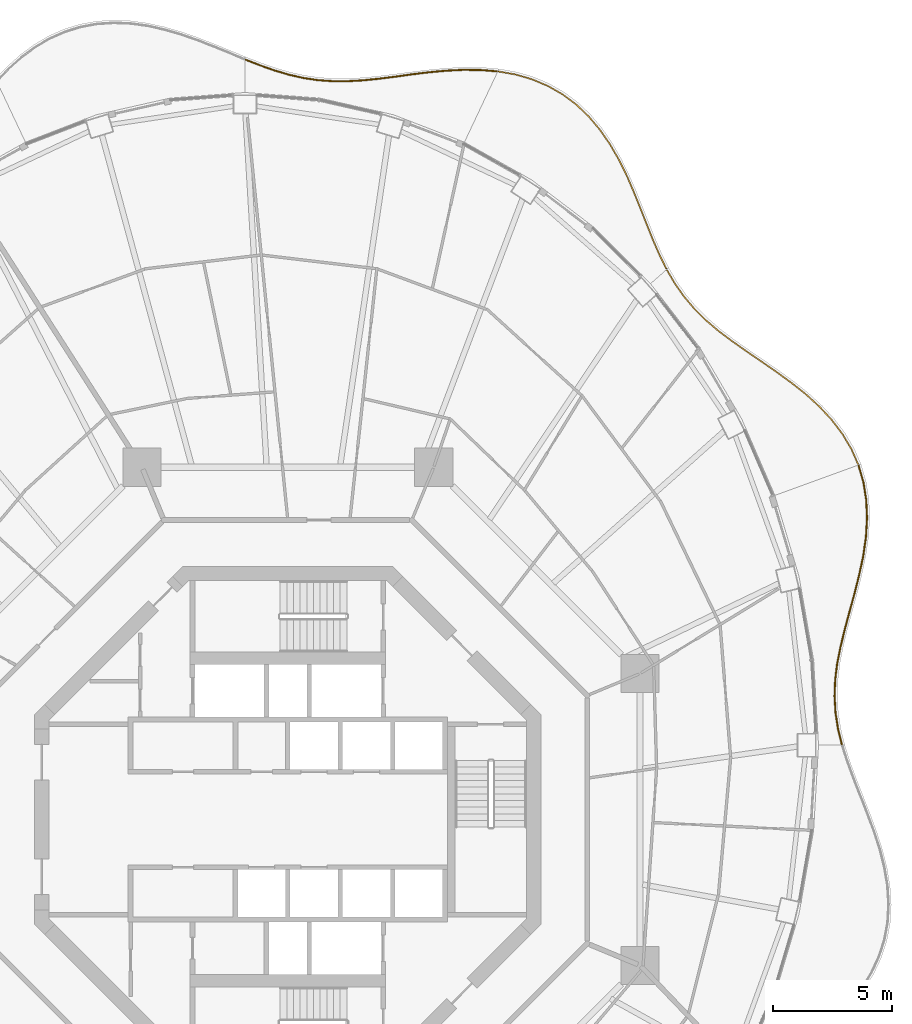
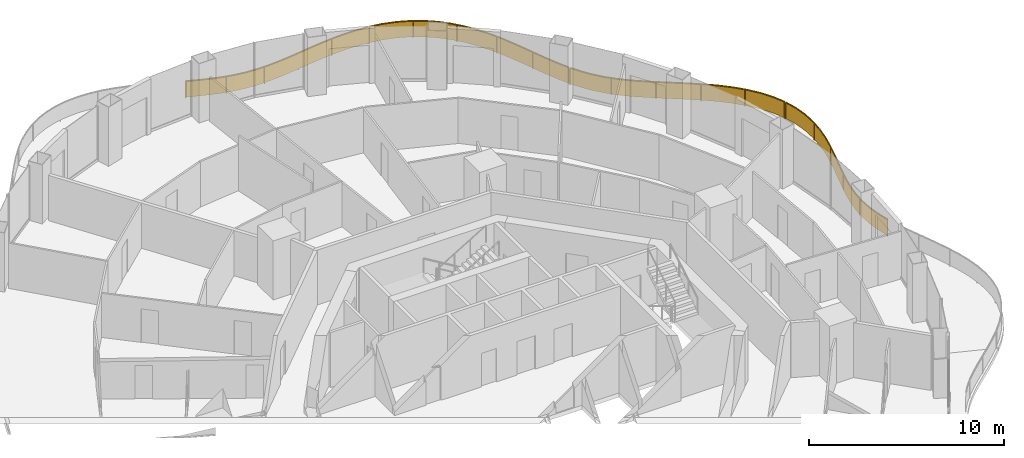
# One storey, part 18 of 18: 4 railings.
"""IFC4 building model written with IfcOpenShell, lengths in metres."""

import ifcopenshell
import ifcopenshell.guid

model = None  # the IFC model being written
_history = None  # IfcOwnerHistory: only IFC2X3 demands one
_inside = {}  # id of a spatial element -> (the spatial element, [elements in it])
_under = {}  # id of a project, library or spatial element -> (it, [spatial elements below it])
_declared = {}  # id of a project -> (the project, [libraries it declares])
_typed = {}  # id of a type object -> (the type object, [elements of that type])
_made_of = {}  # id of a material, layer set ... -> (it, [elements and type objects made of it])


def new_model(schema):
    """Start an empty IFC model of exactly this schema.

    Asked for "IFC4X3", IfcOpenShell would pick the latest addendum, in which some entities
    have other attributes; the version numbers below select the first issue.
    IFC2X3 requires an IfcOwnerHistory on every rooted entity: one is made here for all.
    """
    global model, _history
    if schema == "IFC4X3":
        model = ifcopenshell.file(schema_version=(4, 3, 0, 0))
    else:
        model = ifcopenshell.file(schema=schema)
    _inside.clear()
    _under.clear()
    _declared.clear()
    _typed.clear()
    _made_of.clear()
    _history = None
    if model.schema == "IFC2X3":
        org = make("IfcOrganization", Name="unknown")
        user = make(
            "IfcPersonAndOrganization",
            ThePerson=make("IfcPerson", FamilyName="unknown"),
            TheOrganization=org,
        )
        app = make(
            "IfcApplication",
            ApplicationDeveloper=org,
            Version="unknown",
            ApplicationFullName="unknown",
            ApplicationIdentifier="unknown",
        )
        _history = make(
            "IfcOwnerHistory",
            OwningUser=user,
            OwningApplication=app,
            ChangeAction="ADDED",
            CreationDate=0,
        )
    return model


def make(cls, **values):
    """One entity of the class cls with the attributes given. An attribute that is None is left unset."""
    return model.create_entity(
        cls, **{name: value for name, value in values.items() if value is not None}
    )


def rooted(cls, **values):
    """An entity with a GlobalId (a new one), such as an element, a storey or a relation."""
    return make(cls, GlobalId=ifcopenshell.guid.new(), OwnerHistory=_history, **values)


def si_unit(unit_type, name, prefix=None):
    """IfcSIUnit, for example si_unit("LENGTHUNIT", "METRE", prefix="MILLI")."""
    return make("IfcSIUnit", UnitType=unit_type, Prefix=prefix, Name=name)


def assignment(units):
    """IfcUnitAssignment: the units of a project."""
    return None if units is None else make("IfcUnitAssignment", Units=units)


def point(xyz):
    """IfcCartesianPoint."""
    return None if xyz is None else make("IfcCartesianPoint", Coordinates=xyz)


def direction(xyz):
    """IfcDirection."""
    return None if xyz is None else make("IfcDirection", DirectionRatios=xyz)


def frame(location, z_axis=None, x_axis=None):
    """IfcAxis2Placement3D, a coordinate frame: its origin and axes. An axis left out is left unset."""
    return make(
        "IfcAxis2Placement3D",
        Location=point(location),
        Axis=direction(z_axis),
        RefDirection=direction(x_axis),
    )


def frame_2d(location, x_axis=None):
    """IfcAxis2Placement2D, a coordinate frame in the plane: its origin and x axis."""
    return make(
        "IfcAxis2Placement2D", Location=point(location), RefDirection=direction(x_axis)
    )


def origin():
    """The frame at (0, 0, 0) with its axes left unset."""
    return frame((0.0, 0.0, 0.0))


def origin_2d():
    """The frame at (0, 0) in the plane with its x axis left unset."""
    return frame_2d((0.0, 0.0))


def place(relative_to, where):
    """IfcLocalPlacement: puts the frame where relative to a parent placement (None: the world)."""
    return make(
        "IfcLocalPlacement", PlacementRelTo=relative_to, RelativePlacement=where
    )


def context(
    kind, dimensions, precision=None, world=None, true_north=None, identifier=None
):
    """IfcGeometricRepresentationContext, for example the 3D "Model" context."""
    return make(
        "IfcGeometricRepresentationContext",
        ContextIdentifier=identifier,
        ContextType=kind,
        CoordinateSpaceDimension=dimensions,
        Precision=precision,
        WorldCoordinateSystem=world,
        TrueNorth=true_north,
    )


def subcontext(parent, identifier, kind, view, scale=None):
    """IfcGeometricRepresentationSubContext, for example "Body" below "Model"."""
    return make(
        "IfcGeometricRepresentationSubContext",
        ContextIdentifier=identifier,
        ContextType=kind,
        ParentContext=parent,
        TargetScale=scale,
        TargetView=view,
    )


def project(units=None, contexts=None):
    """IfcProject with its units and contexts."""
    return rooted(
        "IfcProject",
        Name="project",
        RepresentationContexts=contexts,
        UnitsInContext=assignment(units),
    )


def spatial(cls, under=None, at=None, **own):
    """A site, building, storey or space (cls), placed at a placement, below another one or the project."""
    s = rooted(cls, ObjectPlacement=at, **own)
    if under is not None:
        _under.setdefault(under.id(), (under, []))[1].append(s)
    return s


def polyline(points):
    """IfcPolyline through the points."""
    return make("IfcPolyline", Points=[point(p) for p in points])


def profile(cls, at=None, kind="AREA", **sizes):
    """A parametric profile (cls). Its sizes go by their IFC names, for example OverallWidth=200.0."""
    return make(cls, ProfileType=kind, Position=at, **sizes)


def rectangle(**sizes):
    """IfcRectangleProfileDef."""
    return profile("IfcRectangleProfileDef", **sizes)


def outline(outer, holes=None, kind="AREA"):
    """IfcArbitraryClosedProfileDef: a profile drawn as a closed curve; with holes, ...WithVoids."""
    if holes is None:
        return make("IfcArbitraryClosedProfileDef", ProfileType=kind, OuterCurve=outer)
    return make(
        "IfcArbitraryProfileDefWithVoids",
        ProfileType=kind,
        OuterCurve=outer,
        InnerCurves=holes,
    )


def extrude(swept, where, along, depth):
    """IfcExtrudedAreaSolid: the profile swept, set in the frame where, extruded along a direction by depth."""
    return make(
        "IfcExtrudedAreaSolid",
        SweptArea=swept,
        Position=where,
        ExtrudedDirection=direction(along),
        Depth=depth,
    )


def shape(context_of_items, identifier, shape_type, items):
    """IfcShapeRepresentation: the items that make up one representation, for example the "Body"."""
    return make(
        "IfcShapeRepresentation",
        ContextOfItems=context_of_items,
        RepresentationIdentifier=identifier,
        RepresentationType=shape_type,
        Items=items,
    )


def material(Name=None, Category=None):
    """IfcMaterial."""
    return make("IfcMaterial", Name=Name, Category=Category)


def made_of(thing, what):
    """Note that an element or type object is made of a material, layer set ...; save() writes the relation."""
    if what is not None:
        _made_of.setdefault(what.id(), (what, []))[1].append(thing)
    return thing


def type_object(cls, material=None, **own):
    """A type object (cls), such as IfcWallType, which elements share."""
    return made_of(rooted(cls, **own), material)


def element(
    cls,
    number,
    at=None,
    inside=None,
    cuts=None,
    type_object=None,
    material=None,
    context=None,
    identifier="Body",
    shape_type=None,
    held_by="IfcProductDefinitionShape",
    body=None,
    shapes=None,
    **own,
):
    """One element of the class cls, such as IfcWall. Its Tag is "e" and its number.

    at: its placement. inside: the storey or other place that contains it. cuts: it is an
    opening in that element (IfcRelVoidsElement). A single representation is given by context,
    identifier, shape_type and body (its items); several are given by shapes. held_by: the class
    of the entity that holds the representations. save() writes the other relations.
    """
    e = rooted(cls, Tag="e%d" % number, ObjectPlacement=at, **own)
    if body is not None:
        shapes = [shape(context, identifier, shape_type, body)]
    if shapes is not None:
        e.Representation = make(held_by, Representations=shapes)
    if inside is not None:
        _inside.setdefault(inside.id(), (inside, []))[1].append(e)
    if cuts is not None:
        rooted(
            "IfcRelVoidsElement", RelatingBuildingElement=cuts, RelatedOpeningElement=e
        )
    if type_object is not None:
        _typed.setdefault(type_object.id(), (type_object, []))[1].append(e)
    return made_of(e, material)


def aggregate(whole, parts):
    """IfcRelAggregates: a whole, such as a stair, and the parts it consists of."""
    return rooted("IfcRelAggregates", RelatingObject=whole, RelatedObjects=parts)


def save(model, path):
    """Write the relations noted so far, then the file.

    IfcRelAggregates (storeys below a building ...), IfcRelContainedInSpatialStructure (elements
    in a storey), IfcRelDefinesByType, IfcRelAssociatesMaterial and IfcRelDeclares: one each for
    every whole, place, type object, material and project.
    """
    for whole, parts in _under.values():
        aggregate(whole, parts)
    for where, things in _inside.values():
        rooted(
            "IfcRelContainedInSpatialStructure",
            RelatedElements=things,
            RelatingStructure=where,
        )
    for kind, things in _typed.values():
        rooted("IfcRelDefinesByType", RelatedObjects=things, RelatingType=kind)
    for what, things in _made_of.values():
        rooted("IfcRelAssociatesMaterial", RelatedObjects=things, RelatingMaterial=what)
    for by, libraries in _declared.values():
        rooted("IfcRelDeclares", RelatingContext=by, RelatedDefinitions=libraries)
    model.write(path)


model = new_model("IFC4")

# Units and contexts
model_context = context("Model", 3, precision=1e-05, world=origin(), true_north=direction((0.0, 1.0)))
body_context = subcontext(model_context, "Body", "Model", "MODEL_VIEW")
ifc_project = project(units=[si_unit("LENGTHUNIT", "METRE"), si_unit("AREAUNIT", "SQUARE_METRE"), si_unit("VOLUMEUNIT", "CUBIC_METRE"), si_unit("PLANEANGLEUNIT", "RADIAN"), si_unit("MASSUNIT", "GRAM", prefix="KILO")], contexts=[model_context])

# Site, building, storey
site_placement = place(None, origin())
site = spatial("IfcSite", under=ifc_project, at=site_placement, CompositionType="ELEMENT")
building_placement = place(site_placement, origin())
building = spatial("IfcBuilding", under=site, at=building_placement, Name="Nagisa Residences", CompositionType="ELEMENT")
storey_placement = place(building_placement, frame((0.0, 0.0, 227.0)))
storey = spatial("IfcBuildingStorey", under=building, at=storey_placement, Name="L57", CompositionType="ELEMENT", Elevation=227.0)

# Railings
ifc_material = material(Name="Stainless steel 316", Category="steel")
railing_type = type_object("IfcRailingType", Name="BALCONY GUARD 1100", PredefinedType="BALUSTRADE", material=ifc_material)
railing_1_placement = place(storey_placement, frame((23.2470703125, 3.15234375, 0.0)))
element("IfcRailing", 1, at=railing_1_placement, inside=storey, type_object=railing_type, Name="guard:L57:bal00-0", PredefinedType="BALUSTRADE", context=body_context, shape_type="SweptSolid", body=[
    extrude(outline(polyline([(-0.182861328125, 0.642333984375), (-0.0244140625, -0.005859375), (0.0244140625, 0.005859375), (-0.133544921875, 0.652099609375), (-0.239501953125, 1.33447265625), (-0.279296875, 2.017822265625), (-0.25390625, 2.707275390625), (-0.1669921875, 3.4072265625), (-0.026123046875, 4.107666015625), (0.15234375, 4.838623046875), (0.354736328125, 5.587158203125), (0.56298828125, 6.351806640625), (0.758056640625, 7.1298828125), (0.924072265625, 7.903564453125), (1.03662109375, 8.69384765625), (1.083251953125, 9.47998046875), (1.050537109375, 10.254638671875), (0.93017578125, 11.010009765625), (0.73046875, 11.69287109375), (0.6826171875, 11.6787109375), (0.88134765625, 10.998779296875), (1.000732421875, 10.249755859375), (1.032958984375, 9.48046875), (0.98681640625, 8.69873046875), (0.874755859375, 7.912353515625), (0.709228515625, 7.14111328125), (0.5146484375, 6.364501953125), (0.306396484375, 5.600341796875), (0.10400390625, 4.851318359375), (-0.074951171875, 4.118408203125), (-0.21630859375, 3.4150390625), (-0.3037109375, 2.711181640625), (-0.32958984375, 2.017333984375), (-0.289306640625, 1.3291015625), (-0.182861328125, 0.642333984375)])), frame((0.0, 0.0, 1.050048828125)), (0.0, 0.0, 1.0), 0.050048828125),
    extrude(outline(polyline([(-0.1650390625, 0.645751953125), (-0.0068359375, -0.001708984375), (0.0068359375, 0.001708984375), (-0.1513671875, 0.648681640625), (-0.25732421875, 1.33251953125), (-0.29736328125, 2.017578125), (-0.271728515625, 2.708740234375), (-0.184814453125, 3.409912109375), (-0.043701171875, 4.111572265625), (0.135009765625, 4.84326171875), (0.33740234375, 5.591796875), (0.545654296875, 6.3564453125), (0.740478515625, 7.134033203125), (0.90625, 7.90673828125), (1.018798828125, 8.695556640625), (1.065185546875, 9.480224609375), (1.03271484375, 10.2529296875), (0.91259765625, 11.005859375), (0.71337890625, 11.687744140625), (0.69970703125, 11.683837890625), (0.89892578125, 11.0029296875), (1.0185546875, 10.25146484375), (1.051025390625, 9.480224609375), (1.004638671875, 8.697021484375), (0.892578125, 7.9091796875), (0.726806640625, 7.136962890625), (0.531982421875, 6.35986328125), (0.32373046875, 5.595703125), (0.121337890625, 4.8466796875), (-0.057373046875, 4.114501953125), (-0.198486328125, 3.412353515625), (-0.285888671875, 2.709716796875), (-0.3115234375, 2.017578125), (-0.271484375, 1.3310546875), (-0.1650390625, 0.645751953125)])), frame((0.0, 0.0, 0.06005859375)), (0.0, 0.0, 1.0), 0.989990234375),
    extrude(rectangle(XDim=0.0400390625, YDim=0.0400390625, at=origin_2d()), origin(), (0.0, 0.0, 1.0), 1.050048828125),
    extrude(rectangle(XDim=0.0400390625, YDim=0.0400390625, at=origin_2d()), frame((-0.2919921875, 2.351318359375, 0.0)), (0.0, 0.0, 1.0), 1.050048828125),
    extrude(rectangle(XDim=0.0400390625, YDim=0.0400390625, at=origin_2d()), frame((0.091552734375, 4.694580078125, 0.0)), (0.0, 0.0, 1.0), 1.050048828125),
    extrude(rectangle(XDim=0.0400390625, YDim=0.0400390625, at=origin_2d()), frame((0.69873046875, 6.995849609375, 0.0)), (0.0, 0.0, 1.0), 1.050048828125),
    extrude(rectangle(XDim=0.0400390625, YDim=0.0400390625, at=origin_2d()), frame((1.050048828125, 9.3447265625, 0.0)), (0.0, 0.0, 1.0), 1.050048828125),
    extrude(rectangle(XDim=0.0400390625, YDim=0.0400390625, at=origin_2d()), frame((0.70654296875, 11.685791015625, 0.0)), (0.0, 0.0, 1.0), 1.050048828125),
])
railing_2_placement = place(storey_placement, frame((23.92724609375, 14.91064453125, 0.0)))
element("IfcRailing", 2, at=railing_2_placement, inside=storey, type_object=railing_type, Name="guard:L57:bal01-0", PredefinedType="BALUSTRADE", context=body_context, shape_type="SweptSolid", body=[
    extrude(outline(polyline([(-0.29833984375, 0.61767578125), (-0.02294921875, -0.010009765625), (0.02294921875, 0.010009765625), (-0.25390625, 0.640625), (-0.633056640625, 1.278564453125), (-1.088134765625, 1.87841796875), (-1.609130859375, 2.43896484375), (-2.1826171875, 2.9619140625), (-2.786376953125, 3.438232421875), (-3.41845703125, 3.899169921875), (-4.0556640625, 4.33935546875), (-4.68310546875, 4.767822265625), (-5.287353515625, 5.194091796875), (-5.8486328125, 5.615234375), (-6.375244140625, 6.06591796875), (-6.85498046875, 6.542724609375), (-7.285888671875, 7.05224609375), (-7.670166015625, 7.599365234375), (-7.99169921875, 8.151123046875), (-8.03515625, 8.125732421875), (-7.712158203125, 7.572509765625), (-7.325439453125, 7.021484375), (-6.8916015625, 6.508544921875), (-6.409423828125, 6.029296875), (-5.8798828125, 5.576171875), (-5.316650390625, 5.153564453125), (-4.71142578125, 4.726806640625), (-4.083984375, 4.29833984375), (-3.447265625, 3.858154296875), (-2.816650390625, 3.398193359375), (-2.21484375, 2.923828125), (-1.644287109375, 2.4033203125), (-1.126708984375, 1.84619140625), (-0.674560546875, 1.250732421875), (-0.29833984375, 0.61767578125)])), frame((0.0, 0.0, 1.050048828125)), (0.0, 0.0, 1.0), 0.050048828125),
    extrude(outline(polyline([(-0.282470703125, 0.6259765625), (-0.00634765625, -0.0029296875), (0.00634765625, 0.0029296875), (-0.269775390625, 0.63232421875), (-0.64794921875, 1.2685546875), (-1.10205078125, 1.86669921875), (-1.621826171875, 2.426025390625), (-2.194091796875, 2.9482421875), (-2.79736328125, 3.423828125), (-3.4287109375, 3.88427734375), (-4.06591796875, 4.32470703125), (-4.693359375, 4.753173828125), (-5.2978515625, 5.179443359375), (-5.85986328125, 5.60107421875), (-6.3876953125, 6.052734375), (-6.8681640625, 6.5302734375), (-7.300048828125, 7.041259765625), (-7.685302734375, 7.589599609375), (-8.00732421875, 8.141845703125), (-8.01953125, 8.135009765625), (-7.697021484375, 7.582275390625), (-7.311279296875, 7.032470703125), (-6.87841796875, 6.52099609375), (-6.39697265625, 6.04248046875), (-5.86865234375, 5.59033203125), (-5.30615234375, 5.168212890625), (-4.701171875, 4.741455078125), (-4.07373046875, 4.31298828125), (-3.43701171875, 3.873046875), (-2.8056640625, 3.41259765625), (-2.203369140625, 2.9375), (-1.631591796875, 2.416259765625), (-1.11279296875, 1.85791015625), (-0.65966796875, 1.2607421875), (-0.282470703125, 0.6259765625)])), frame((0.0, 0.0, 0.06005859375)), (0.0, 0.0, 1.0), 0.989990234375),
    extrude(rectangle(XDim=0.0400390625, YDim=0.0400390625, at=origin_2d()), origin(), (0.0, 0.0, 1.0), 1.050048828125),
    extrude(rectangle(XDim=0.0400390625, YDim=0.0400390625, at=origin_2d()), frame((-1.2041015625, 1.96630859375, 0.0)), (0.0, 0.0, 1.0), 1.050048828125),
    extrude(rectangle(XDim=0.0400390625, YDim=0.0400390625, at=origin_2d()), frame((-2.927490234375, 3.510009765625, 0.0)), (0.0, 0.0, 1.0), 1.050048828125),
    extrude(rectangle(XDim=0.0400390625, YDim=0.0400390625, at=origin_2d()), frame((-4.8271484375, 4.8388671875, 0.0)), (0.0, 0.0, 1.0), 1.050048828125),
    extrude(rectangle(XDim=0.0400390625, YDim=0.0400390625, at=origin_2d()), frame((-6.633056640625, 6.286865234375, 0.0)), (0.0, 0.0, 1.0), 1.050048828125),
    extrude(rectangle(XDim=0.0400390625, YDim=0.0400390625, at=origin_2d()), frame((-8.013427734375, 8.138427734375, 0.0)), (0.0, 0.0, 1.0), 1.050048828125),
])
railing_3_placement = place(storey_placement, frame((15.8818359375, 23.112548828125, 0.0)))
element("IfcRailing", 3, at=railing_3_placement, inside=storey, type_object=railing_type, Name="guard:L57:bal02-0", PredefinedType="BALUSTRADE", context=body_context, shape_type="SweptSolid", body=[
    extrude(outline(polyline([(-0.2998046875, 0.5498046875), (-0.0224609375, -0.010986328125), (0.0224609375, 0.010986328125), (-0.25439453125, 0.57080078125), (-0.5302734375, 1.201904296875), (-0.796142578125, 1.86083984375), (-1.06298828125, 2.540283203125), (-1.342041015625, 3.230224609375), (-1.63232421875, 3.9091796875), (-1.968017578125, 4.585693359375), (-2.344482421875, 5.23681640625), (-2.768798828125, 5.84912109375), (-3.244140625, 6.411376953125), (-3.760986328125, 6.9052734375), (-4.33837890625, 7.3369140625), (-4.966064453125, 7.695068359375), (-5.636474609375, 7.975830078125), (-6.34228515625, 8.179443359375), (-7.028076171875, 8.298583984375), (-7.036865234375, 8.249267578125), (-6.353515625, 8.130615234375), (-5.653076171875, 7.928466796875), (-4.988037109375, 7.650146484375), (-4.36572265625, 7.294921875), (-3.793212890625, 6.8671875), (-3.28076171875, 6.377197265625), (-2.808349609375, 5.81884765625), (-2.386962890625, 5.2099609375), (-2.011962890625, 4.562255859375), (-1.677734375, 3.88818359375), (-1.388427734375, 3.211181640625), (-1.109375, 2.521728515625), (-0.842529296875, 1.84228515625), (-0.57666015625, 1.182373046875), (-0.2998046875, 0.5498046875)])), frame((0.0, 0.0, 1.050048828125)), (0.0, 0.0, 1.0), 0.050048828125),
    extrude(outline(polyline([(-0.283447265625, 0.557373046875), (-0.00634765625, -0.003173828125), (0.00634765625, 0.003173828125), (-0.270751953125, 0.563232421875), (-0.547119140625, 1.19482421875), (-0.812744140625, 1.854248046875), (-1.07958984375, 2.53369140625), (-1.35888671875, 3.223388671875), (-1.648681640625, 3.901611328125), (-1.98388671875, 4.577392578125), (-2.35986328125, 5.22705078125), (-2.782958984375, 5.838134765625), (-3.25732421875, 6.399169921875), (-3.7724609375, 6.8916015625), (-4.34814453125, 7.32177734375), (-4.973876953125, 7.678955078125), (-5.642333984375, 7.958740234375), (-6.346435546875, 8.161865234375), (-7.03125, 8.28076171875), (-7.03369140625, 8.26708984375), (-6.349365234375, 8.148193359375), (-5.647216796875, 7.945556640625), (-4.980224609375, 7.666259765625), (-4.35595703125, 7.31005859375), (-3.78173828125, 6.880859375), (-3.267578125, 6.389404296875), (-2.794189453125, 5.829833984375), (-2.37158203125, 5.2197265625), (-1.99609375, 4.570556640625), (-1.661376953125, 3.895751953125), (-1.37158203125, 3.218017578125), (-1.0927734375, 2.5283203125), (-0.825927734375, 1.848876953125), (-0.559814453125, 1.189453125), (-0.283447265625, 0.557373046875)])), frame((0.0, 0.0, 0.06005859375)), (0.0, 0.0, 1.0), 0.989990234375),
    extrude(rectangle(XDim=0.0400390625, YDim=0.0400390625, at=origin_2d()), origin(), (0.0, 0.0, 1.0), 1.050048828125),
    extrude(rectangle(XDim=0.0400390625, YDim=0.0400390625, at=origin_2d()), frame((-0.9208984375, 2.110107421875, 0.0)), (0.0, 0.0, 1.0), 1.050048828125),
    extrude(rectangle(XDim=0.0400390625, YDim=0.0400390625, at=origin_2d()), frame((-1.8193359375, 4.230224609375, 0.0)), (0.0, 0.0, 1.0), 1.050048828125),
    extrude(rectangle(XDim=0.0400390625, YDim=0.0400390625, at=origin_2d()), frame((-3.064208984375, 6.15966796875, 0.0)), (0.0, 0.0, 1.0), 1.050048828125),
    extrude(rectangle(XDim=0.0400390625, YDim=0.0400390625, at=origin_2d()), frame((-4.84423828125, 7.5966796875, 0.0)), (0.0, 0.0, 1.0), 1.050048828125),
    extrude(rectangle(XDim=0.0400390625, YDim=0.0400390625, at=origin_2d()), frame((-7.032470703125, 8.27392578125, 0.0)), (0.0, 0.0, 1.0), 1.050048828125),
])
railing_4_placement = place(storey_placement, frame((8.7724609375, 31.395751953125, 0.0)))
element("IfcRailing", 4, at=railing_4_placement, inside=storey, type_object=railing_type, Name="guard:L57:bal03-0", PredefinedType="BALUSTRADE", context=body_context, shape_type="SweptSolid", body=[
    extrude(outline(polyline([(-0.676025390625, 0.0302734375), (-0.001953125, -0.02490234375), (0.001953125, 0.02490234375), (-0.673583984375, 0.080078125), (-1.40576171875, 0.087890625), (-2.13916015625, 0.051513671875), (-2.8671875, -0.01611328125), (-3.583984375, -0.10302734375), (-4.2685546875, -0.200439453125), (-4.95166015625, -0.285888671875), (-5.6162109375, -0.352294921875), (-6.262451171875, -0.38916015625), (-6.892822265625, -0.388671875), (-7.49365234375, -0.346923828125), (-8.104248046875, -0.25634765625), (-8.71240234375, -0.119384765625), (-9.3232421875, 0.061279296875), (-9.94189453125, 0.279296875), (-10.529052734375, 0.51171875), (-10.547607421875, 0.46533203125), (-9.95947265625, 0.232421875), (-9.3388671875, 0.013427734375), (-8.72509765625, -0.167724609375), (-8.113525390625, -0.3056640625), (-7.4990234375, -0.396728515625), (-6.894775390625, -0.4384765625), (-6.260986328125, -0.439453125), (-5.6123046875, -0.402099609375), (-4.9462890625, -0.335693359375), (-4.26171875, -0.250244140625), (-3.57763671875, -0.15283203125), (-2.86181640625, -0.06591796875), (-2.1357421875, 0.001708984375), (-1.40478515625, 0.03759765625), (-0.676025390625, 0.0302734375)])), frame((0.0, 0.0, 1.050048828125)), (0.0, 0.0, 1.0), 0.050048828125),
    extrude(outline(polyline([(-0.675048828125, 0.048095703125), (-0.00048828125, -0.007080078125), (0.00048828125, 0.007080078125), (-0.674560546875, 0.062255859375), (-1.405517578125, 0.06982421875), (-2.137939453125, 0.03369140625), (-2.865234375, -0.033935546875), (-3.581787109375, -0.12109375), (-4.26611328125, -0.218505859375), (-4.94970703125, -0.303955078125), (-5.61474609375, -0.3701171875), (-6.261962890625, -0.4072265625), (-6.8935546875, -0.406494140625), (-7.49560546875, -0.36474609375), (-8.107666015625, -0.274169921875), (-8.717041015625, -0.13671875), (-9.328857421875, 0.0439453125), (-9.9482421875, 0.262451171875), (-10.53564453125, 0.4951171875), (-10.541015625, 0.48193359375), (-9.953125, 0.249267578125), (-9.333251953125, 0.03076171875), (-8.720458984375, -0.150390625), (-8.110107421875, -0.287841796875), (-7.4970703125, -0.37890625), (-6.89404296875, -0.420654296875), (-6.261474609375, -0.42138671875), (-5.61376953125, -0.38427734375), (-4.9482421875, -0.317626953125), (-4.26416015625, -0.232177734375), (-3.579833984375, -0.134765625), (-2.86376953125, -0.048095703125), (-2.136962890625, 0.01953125), (-1.405029296875, 0.0556640625), (-0.675048828125, 0.048095703125)])), frame((0.0, 0.0, 0.06005859375)), (0.0, 0.0, 1.0), 0.989990234375),
    extrude(rectangle(XDim=0.0400390625, YDim=0.0400390625, at=origin_2d()), origin(), (0.0, 0.0, 1.0), 1.050048828125),
    extrude(rectangle(XDim=0.0400390625, YDim=0.0400390625, at=origin_2d()), frame((-2.136474609375, 0.026611328125, 0.0)), (0.0, 0.0, 1.0), 1.050048828125),
    extrude(rectangle(XDim=0.0400390625, YDim=0.0400390625, at=origin_2d()), frame((-4.2607421875, -0.224609375, 0.0)), (0.0, 0.0, 1.0), 1.050048828125),
    extrude(rectangle(XDim=0.0400390625, YDim=0.0400390625, at=origin_2d()), frame((-6.390625, -0.4140625, 0.0)), (0.0, 0.0, 1.0), 1.050048828125),
    extrude(rectangle(XDim=0.0400390625, YDim=0.0400390625, at=origin_2d()), frame((-8.511962890625, -0.190185546875, 0.0)), (0.0, 0.0, 1.0), 1.050048828125),
    extrude(rectangle(XDim=0.0400390625, YDim=0.0400390625, at=origin_2d()), frame((-10.538330078125, 0.488525390625, 0.0)), (0.0, 0.0, 1.0), 1.050048828125),
])

save(model, "model.ifc")
